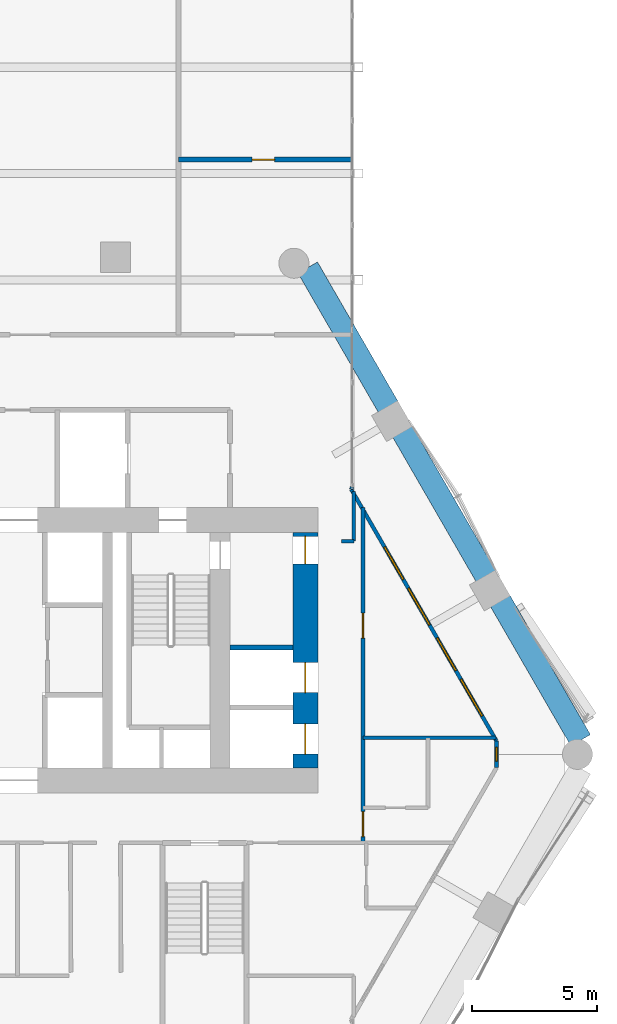
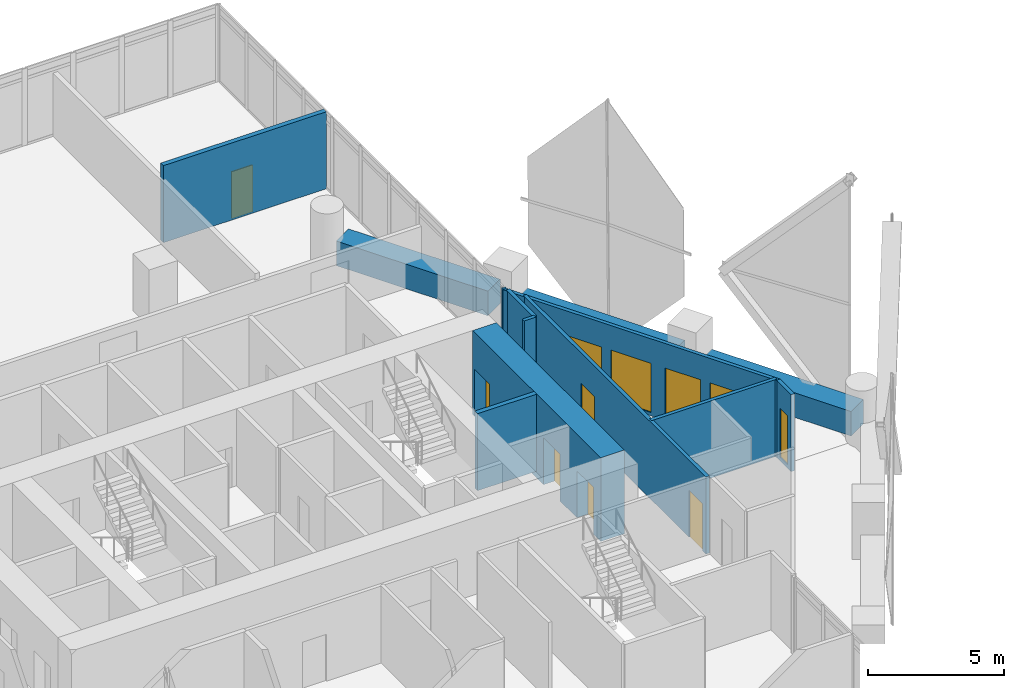
# One storey, part 32 of 38: 13 walls, 6 doors, 5 windows, 11 openings.
"""IFC4 building model written with IfcOpenShell, lengths in metres."""

import ifcopenshell
import ifcopenshell.guid

model = None  # the IFC model being written
_history = None  # IfcOwnerHistory: only IFC2X3 demands one
_inside = {}  # id of a spatial element -> (the spatial element, [elements in it])
_under = {}  # id of a project, library or spatial element -> (it, [spatial elements below it])
_declared = {}  # id of a project -> (the project, [libraries it declares])
_typed = {}  # id of a type object -> (the type object, [elements of that type])
_made_of = {}  # id of a material, layer set ... -> (it, [elements and type objects made of it])


def new_model(schema):
    """Start an empty IFC model of exactly this schema.

    Asked for "IFC4X3", IfcOpenShell would pick the latest addendum, in which some entities
    have other attributes; the version numbers below select the first issue.
    IFC2X3 requires an IfcOwnerHistory on every rooted entity: one is made here for all.
    """
    global model, _history
    if schema == "IFC4X3":
        model = ifcopenshell.file(schema_version=(4, 3, 0, 0))
    else:
        model = ifcopenshell.file(schema=schema)
    _inside.clear()
    _under.clear()
    _declared.clear()
    _typed.clear()
    _made_of.clear()
    _history = None
    if model.schema == "IFC2X3":
        org = make("IfcOrganization", Name="unknown")
        user = make(
            "IfcPersonAndOrganization",
            ThePerson=make("IfcPerson", FamilyName="unknown"),
            TheOrganization=org,
        )
        app = make(
            "IfcApplication",
            ApplicationDeveloper=org,
            Version="unknown",
            ApplicationFullName="unknown",
            ApplicationIdentifier="unknown",
        )
        _history = make(
            "IfcOwnerHistory",
            OwningUser=user,
            OwningApplication=app,
            ChangeAction="ADDED",
            CreationDate=0,
        )
    return model


def make(cls, **values):
    """One entity of the class cls with the attributes given. An attribute that is None is left unset."""
    return model.create_entity(
        cls, **{name: value for name, value in values.items() if value is not None}
    )


def rooted(cls, **values):
    """An entity with a GlobalId (a new one), such as an element, a storey or a relation."""
    return make(cls, GlobalId=ifcopenshell.guid.new(), OwnerHistory=_history, **values)


def si_unit(unit_type, name, prefix=None):
    """IfcSIUnit, for example si_unit("LENGTHUNIT", "METRE", prefix="MILLI")."""
    return make("IfcSIUnit", UnitType=unit_type, Prefix=prefix, Name=name)


def assignment(units):
    """IfcUnitAssignment: the units of a project."""
    return None if units is None else make("IfcUnitAssignment", Units=units)


def point(xyz):
    """IfcCartesianPoint."""
    return None if xyz is None else make("IfcCartesianPoint", Coordinates=xyz)


def direction(xyz):
    """IfcDirection."""
    return None if xyz is None else make("IfcDirection", DirectionRatios=xyz)


def frame(location, z_axis=None, x_axis=None):
    """IfcAxis2Placement3D, a coordinate frame: its origin and axes. An axis left out is left unset."""
    return make(
        "IfcAxis2Placement3D",
        Location=point(location),
        Axis=direction(z_axis),
        RefDirection=direction(x_axis),
    )


def frame_2d(location, x_axis=None):
    """IfcAxis2Placement2D, a coordinate frame in the plane: its origin and x axis."""
    return make(
        "IfcAxis2Placement2D", Location=point(location), RefDirection=direction(x_axis)
    )


def origin():
    """The frame at (0, 0, 0) with its axes left unset."""
    return frame((0.0, 0.0, 0.0))


def place(relative_to, where):
    """IfcLocalPlacement: puts the frame where relative to a parent placement (None: the world)."""
    return make(
        "IfcLocalPlacement", PlacementRelTo=relative_to, RelativePlacement=where
    )


def context(
    kind, dimensions, precision=None, world=None, true_north=None, identifier=None
):
    """IfcGeometricRepresentationContext, for example the 3D "Model" context."""
    return make(
        "IfcGeometricRepresentationContext",
        ContextIdentifier=identifier,
        ContextType=kind,
        CoordinateSpaceDimension=dimensions,
        Precision=precision,
        WorldCoordinateSystem=world,
        TrueNorth=true_north,
    )


def subcontext(parent, identifier, kind, view, scale=None):
    """IfcGeometricRepresentationSubContext, for example "Body" below "Model"."""
    return make(
        "IfcGeometricRepresentationSubContext",
        ContextIdentifier=identifier,
        ContextType=kind,
        ParentContext=parent,
        TargetScale=scale,
        TargetView=view,
    )


def project(units=None, contexts=None):
    """IfcProject with its units and contexts."""
    return rooted(
        "IfcProject",
        Name="project",
        RepresentationContexts=contexts,
        UnitsInContext=assignment(units),
    )


def spatial(cls, under=None, at=None, **own):
    """A site, building, storey or space (cls), placed at a placement, below another one or the project."""
    s = rooted(cls, ObjectPlacement=at, **own)
    if under is not None:
        _under.setdefault(under.id(), (under, []))[1].append(s)
    return s


def profile(cls, at=None, kind="AREA", **sizes):
    """A parametric profile (cls). Its sizes go by their IFC names, for example OverallWidth=200.0."""
    return make(cls, ProfileType=kind, Position=at, **sizes)


def rectangle(**sizes):
    """IfcRectangleProfileDef."""
    return profile("IfcRectangleProfileDef", **sizes)


def extrude(swept, where, along, depth):
    """IfcExtrudedAreaSolid: the profile swept, set in the frame where, extruded along a direction by depth."""
    return make(
        "IfcExtrudedAreaSolid",
        SweptArea=swept,
        Position=where,
        ExtrudedDirection=direction(along),
        Depth=depth,
    )


def shape(context_of_items, identifier, shape_type, items):
    """IfcShapeRepresentation: the items that make up one representation, for example the "Body"."""
    return make(
        "IfcShapeRepresentation",
        ContextOfItems=context_of_items,
        RepresentationIdentifier=identifier,
        RepresentationType=shape_type,
        Items=items,
    )


def material(Name=None, Category=None):
    """IfcMaterial."""
    return make("IfcMaterial", Name=Name, Category=Category)


def layer(
    of_material, thickness, ventilated=None, Name=None, Category=None, Priority=None
):
    """IfcMaterialLayer: one layer of a wall or slab, of a material (None: an air gap)."""
    return make(
        "IfcMaterialLayer",
        Material=of_material,
        LayerThickness=thickness,
        IsVentilated=ventilated,
        Name=Name,
        Category=Category,
        Priority=Priority,
    )


def layer_set(layers, Name=None):
    """IfcMaterialLayerSet."""
    return make("IfcMaterialLayerSet", MaterialLayers=layers, LayerSetName=Name)


def made_of(thing, what):
    """Note that an element or type object is made of a material, layer set ...; save() writes the relation."""
    if what is not None:
        _made_of.setdefault(what.id(), (what, []))[1].append(thing)
    return thing


def type_object(cls, material=None, **own):
    """A type object (cls), such as IfcWallType, which elements share."""
    return made_of(rooted(cls, **own), material)


def element(
    cls,
    number,
    at=None,
    inside=None,
    cuts=None,
    type_object=None,
    material=None,
    context=None,
    identifier="Body",
    shape_type=None,
    held_by="IfcProductDefinitionShape",
    body=None,
    shapes=None,
    **own,
):
    """One element of the class cls, such as IfcWall. Its Tag is "e" and its number.

    at: its placement. inside: the storey or other place that contains it. cuts: it is an
    opening in that element (IfcRelVoidsElement). A single representation is given by context,
    identifier, shape_type and body (its items); several are given by shapes. held_by: the class
    of the entity that holds the representations. save() writes the other relations.
    """
    e = rooted(cls, Tag="e%d" % number, ObjectPlacement=at, **own)
    if body is not None:
        shapes = [shape(context, identifier, shape_type, body)]
    if shapes is not None:
        e.Representation = make(held_by, Representations=shapes)
    if inside is not None:
        _inside.setdefault(inside.id(), (inside, []))[1].append(e)
    if cuts is not None:
        rooted(
            "IfcRelVoidsElement", RelatingBuildingElement=cuts, RelatedOpeningElement=e
        )
    if type_object is not None:
        _typed.setdefault(type_object.id(), (type_object, []))[1].append(e)
    return made_of(e, material)


def fill(opening, filler):
    """IfcRelFillsElement: the door or window that sits in an opening."""
    return rooted(
        "IfcRelFillsElement",
        RelatingOpeningElement=opening,
        RelatedBuildingElement=filler,
    )


def aggregate(whole, parts):
    """IfcRelAggregates: a whole, such as a stair, and the parts it consists of."""
    return rooted("IfcRelAggregates", RelatingObject=whole, RelatedObjects=parts)


def save(model, path):
    """Write the relations noted so far, then the file.

    IfcRelAggregates (storeys below a building ...), IfcRelContainedInSpatialStructure (elements
    in a storey), IfcRelDefinesByType, IfcRelAssociatesMaterial and IfcRelDeclares: one each for
    every whole, place, type object, material and project.
    """
    for whole, parts in _under.values():
        aggregate(whole, parts)
    for where, things in _inside.values():
        rooted(
            "IfcRelContainedInSpatialStructure",
            RelatedElements=things,
            RelatingStructure=where,
        )
    for kind, things in _typed.values():
        rooted("IfcRelDefinesByType", RelatedObjects=things, RelatingType=kind)
    for what, things in _made_of.values():
        rooted("IfcRelAssociatesMaterial", RelatedObjects=things, RelatingMaterial=what)
    for by, libraries in _declared.values():
        rooted("IfcRelDeclares", RelatingContext=by, RelatedDefinitions=libraries)
    model.write(path)


model = new_model("IFC4")

# Units and contexts
model_context = context("Model", 3, precision=1e-05, world=origin(), true_north=direction((0.0, 1.0)))
body_context = subcontext(model_context, "Body", "Model", "MODEL_VIEW")
ifc_project = project(units=[si_unit("LENGTHUNIT", "METRE"), si_unit("AREAUNIT", "SQUARE_METRE"), si_unit("VOLUMEUNIT", "CUBIC_METRE"), si_unit("PLANEANGLEUNIT", "RADIAN"), si_unit("MASSUNIT", "GRAM", prefix="KILO")], contexts=[model_context])

# Site, building, storey
site_placement = place(None, origin())
site = spatial("IfcSite", under=ifc_project, at=site_placement, CompositionType="ELEMENT")
building_placement = place(site_placement, origin())
building = spatial("IfcBuilding", under=site, at=building_placement, Name="Ostrander Bayou Hotel Tower", CompositionType="ELEMENT")
storey_placement = place(building_placement, frame((0.0, 0.0, 96.75)))
storey = spatial("IfcBuildingStorey", under=building, at=storey_placement, Name="L24", CompositionType="ELEMENT", Elevation=96.75)

# Wall, openings, doors
ifc_material_1 = material(Name="Concrete f'c 70 MPa", Category="concrete")
ifc_layer_1 = layer(ifc_material_1, 1.0)
ifc_layer_set_1 = layer_set([ifc_layer_1], Name="CW4 core wall 1000 mm f'c 70 MPa")
wall_type_1 = type_object("IfcWallType", Name="CW4 core wall 1000 mm f'c 70 MPa", PredefinedType="SHEAR", material=ifc_layer_set_1)
wall_1_placement = place(storey_placement, frame((11.5, -0.699951171875, -0.300048828125), z_axis=(0.0, 0.0, 1.0), x_axis=(0.0, 1.0, 0.0)))
wall_1 = element("IfcWall", 1, at=wall_1_placement, inside=storey, type_object=wall_type_1, Name="CW4 L24 RE", PredefinedType="SHEAR", context=body_context, shape_type="SweptSolid", body=[
    extrude(rectangle(XDim=9.39990234375, YDim=1.0, at=frame_2d((4.699951171875, 0.0))), origin(), (0.0, 0.0, 1.0), 3.75),
])
opening_1_placement = place(wall_1_placement, frame((8.14990234375, 0.0, 0.0)))
opening_1 = element("IfcOpeningElement", 2, at=opening_1_placement, cuts=wall_1, Name="Opening T23-018", PredefinedType="OPENING", context=body_context, shape_type="SweptSolid", body=[
    extrude(rectangle(XDim=1.10009765625, YDim=2.10009765625, at=frame_2d((0.550048828125, 1.050048828125))), frame((0.0, 0.5, 0.0), z_axis=(0.0, -1.0, 0.0), x_axis=(1.0, 0.0, 0.0)), (0.0, 0.0, 1.0), 1.0),
])
opening_2_placement = place(wall_1_placement, frame((0.550048828125, 0.0, 0.0)))
opening_2 = element("IfcOpeningElement", 3, at=opening_2_placement, cuts=wall_1, Name="Opening T23-019", PredefinedType="OPENING", context=body_context, shape_type="SweptSolid", body=[
    extrude(rectangle(XDim=1.199951171875, YDim=2.10009765625, at=frame_2d((0.60009765625, 1.050048828125))), frame((0.0, 0.5, 0.0), z_axis=(0.0, -1.0, 0.0), x_axis=(1.0, 0.0, 0.0)), (0.0, 0.0, 1.0), 1.0),
])
opening_3_placement = place(wall_1_placement, frame((3.0, 0.0, 0.0)))
opening_3 = element("IfcOpeningElement", 4, at=opening_3_placement, cuts=wall_1, Name="Opening T23-020", PredefinedType="OPENING", context=body_context, shape_type="SweptSolid", body=[
    extrude(rectangle(XDim=1.199951171875, YDim=2.10009765625, at=frame_2d((0.60009765625, 1.050048828125))), frame((0.0, 0.5, 0.0), z_axis=(0.0, -1.0, 0.0), x_axis=(1.0, 0.0, 0.0)), (0.0, 0.0, 1.0), 1.0),
])
ifc_material_2 = material(Name="Timber door leaf", Category="wood")
door_type_1 = type_object("IfcDoorType", Name="D5 stair door 1100 x 2100 mm, 90 minute", OperationType="SINGLE_SWING_LEFT", PredefinedType="DOOR", material=ifc_material_2)
door_1_placement = place(opening_1_placement, origin())
door_1 = element("IfcDoor", 5, at=door_1_placement, inside=storey, type_object=door_type_1, Name="dr:L24:018", OperationType="SINGLE_SWING_RIGHT", OverallHeight=2.10009765625, OverallWidth=1.10009765625, PredefinedType="DOOR", context=body_context, shape_type="SweptSolid", body=[
    extrude(rectangle(XDim=1.10009765625, YDim=2.10009765625, at=frame_2d((0.550048828125, 1.050048828125))), frame((0.0, 0.02490234375, 0.0), z_axis=(0.0, -1.0, 0.0), x_axis=(1.0, 0.0, 0.0)), (0.0, 0.0, 1.0), 0.050048828125),
])
fill(opening_1, door_1)
ifc_material_3 = material(Name="Stainless steel sliding door", Category="steel")
door_type_2 = type_object("IfcDoorType", Name="LD1 lift landing door 1200 x 2100 mm", OperationType="SINGLE_SWING_LEFT", PredefinedType="DOOR", material=ifc_material_3)
door_2_placement = place(opening_2_placement, origin())
door_2 = element("IfcDoor", 6, at=door_2_placement, inside=storey, type_object=door_type_2, Name="dr:L24:019", OperationType="SLIDING_TO_LEFT", OverallHeight=2.10009765625, OverallWidth=1.199951171875, PredefinedType="DOOR", context=body_context, shape_type="SweptSolid", body=[
    extrude(rectangle(XDim=1.199951171875, YDim=2.10009765625, at=frame_2d((0.60009765625, 1.050048828125))), frame((0.0, 0.02490234375, 0.0), z_axis=(0.0, -1.0, 0.0), x_axis=(1.0, 0.0, 0.0)), (0.0, 0.0, 1.0), 0.050048828125),
])
fill(opening_2, door_2)
door_3_placement = place(opening_3_placement, origin())
door_3 = element("IfcDoor", 7, at=door_3_placement, inside=storey, type_object=door_type_2, Name="dr:L24:020", OperationType="SLIDING_TO_LEFT", OverallHeight=2.10009765625, OverallWidth=1.199951171875, PredefinedType="DOOR", context=body_context, shape_type="SweptSolid", body=[
    extrude(rectangle(XDim=1.199951171875, YDim=2.10009765625, at=frame_2d((0.60009765625, 1.050048828125))), frame((0.0, 0.02490234375, 0.0), z_axis=(0.0, -1.0, 0.0), x_axis=(1.0, 0.0, 0.0)), (0.0, 0.0, 1.0), 0.050048828125),
])
fill(opening_3, door_3)

# Wall, openings, windows
ifc_material_4 = material(Name="Aluminium framed insulated wall", Category="aluminium")
ifc_layer_2 = layer(ifc_material_4, 0.14990234375)
ifc_layer_set_2 = layer_set([ifc_layer_2], Name="GW1 glass-line wall 150 mm")
wall_type_2 = type_object("IfcWallType", Name="GW1 glass-line wall 150 mm", PredefinedType="SOLIDWALL", material=ifc_layer_set_2)
wall_2_placement = place(storey_placement, frame((19.141357421875, 0.368896484375, 0.0), z_axis=(0.0, 0.0, 1.0), x_axis=(-0.500002662854, 0.86602386638, 0.0)))
wall_2 = element("IfcWall", 8, at=wall_2_placement, inside=storey, type_object=wall_type_2, Name="GW1 L24 NE 1", PredefinedType="SOLIDWALL", context=body_context, shape_type="SweptSolid", body=[
    extrude(rectangle(XDim=11.61474609375, YDim=0.14990234375, at=frame_2d((5.807373046875, 0.0))), origin(), (0.0, 0.0, 1.0), 3.449951171875),
])
opening_4_placement = place(wall_2_placement, frame((1.1513671875, 0.0, 0.14990234375)))
opening_4 = element("IfcOpeningElement", 9, at=opening_4_placement, cuts=wall_2, Name="Opening W8", PredefinedType="OPENING", context=body_context, shape_type="SweptSolid", body=[
    extrude(rectangle(XDim=1.699951171875, YDim=2.199951171875, at=frame_2d((0.85009765625, 1.10009765625))), frame((0.0, 0.074951171875, 0.0), z_axis=(0.0, -1.0, 0.0), x_axis=(1.0, 0.0, 0.0)), (0.0, 0.0, 1.0), 0.14990234375),
])
opening_5_placement = place(wall_2_placement, frame((3.251220703125, 0.0, 0.14990234375)))
opening_5 = element("IfcOpeningElement", 10, at=opening_5_placement, cuts=wall_2, Name="Opening W12", PredefinedType="OPENING", context=body_context, shape_type="SweptSolid", body=[
    extrude(rectangle(XDim=1.5, YDim=2.199951171875, at=frame_2d((0.75, 1.10009765625))), frame((0.0, 0.074951171875, 0.0), z_axis=(0.0, -1.0, 0.0), x_axis=(1.0, 0.0, 0.0)), (0.0, 0.0, 1.0), 0.14990234375),
])
opening_6_placement = place(wall_2_placement, frame((5.351318359375, 0.0, 0.14990234375)))
opening_6 = element("IfcOpeningElement", 11, at=opening_6_placement, cuts=wall_2, Name="Opening W8", PredefinedType="OPENING", context=body_context, shape_type="SweptSolid", body=[
    extrude(rectangle(XDim=1.699951171875, YDim=2.199951171875, at=frame_2d((0.85009765625, 1.10009765625))), frame((0.0, 0.074951171875, 0.0), z_axis=(0.0, -1.0, 0.0), x_axis=(1.0, 0.0, 0.0)), (0.0, 0.0, 1.0), 0.14990234375),
])
opening_7_placement = place(wall_2_placement, frame((7.451416015625, 0.0, 0.14990234375)))
opening_7 = element("IfcOpeningElement", 12, at=opening_7_placement, cuts=wall_2, Name="Opening W12", PredefinedType="OPENING", context=body_context, shape_type="SweptSolid", body=[
    extrude(rectangle(XDim=1.5, YDim=2.199951171875, at=frame_2d((0.75, 1.10009765625))), frame((0.0, 0.074951171875, 0.0), z_axis=(0.0, -1.0, 0.0), x_axis=(1.0, 0.0, 0.0)), (0.0, 0.0, 1.0), 0.14990234375),
])
ifc_material_5 = material(Name="Aluminium and clear glass", Category="aluminium")
window_type_1 = type_object("IfcWindowType", Name="W12 fixed window 1500 mm, bath bay, zone 2", PartitioningType="SINGLE_PANEL", PredefinedType="WINDOW", material=ifc_material_5)
window_1_placement = place(opening_5_placement, origin())
window_1 = element("IfcWindow", 13, at=window_1_placement, inside=storey, type_object=window_type_1, Name="W12 L24 NE 1", OverallHeight=2.199951171875, OverallWidth=1.5, PartitioningType="SINGLE_PANEL", PredefinedType="WINDOW", context=body_context, shape_type="SweptSolid", body=[
    extrude(rectangle(XDim=1.5, YDim=2.199951171875, at=frame_2d((0.75, 1.10009765625))), frame((0.0, 0.030029296875, 0.0), z_axis=(0.0, -1.0, 0.0), x_axis=(1.0, 0.0, 0.0)), (0.0, 0.0, 1.0), 0.06005859375),
])
fill(opening_5, window_1)
window_2_placement = place(opening_7_placement, origin())
window_2 = element("IfcWindow", 14, at=window_2_placement, inside=storey, type_object=window_type_1, Name="W12 L24 NE 2", OverallHeight=2.199951171875, OverallWidth=1.5, PartitioningType="SINGLE_PANEL", PredefinedType="WINDOW", context=body_context, shape_type="SweptSolid", body=[
    extrude(rectangle(XDim=1.5, YDim=2.199951171875, at=frame_2d((0.75, 1.10009765625))), frame((0.0, 0.030029296875, 0.0), z_axis=(0.0, -1.0, 0.0), x_axis=(1.0, 0.0, 0.0)), (0.0, 0.0, 1.0), 0.06005859375),
])
fill(opening_7, window_2)
ifc_material_6 = material(Name="Aluminium and clear glass", Category="aluminium")
window_type_2 = type_object("IfcWindowType", Name="W8 fixed window 1700 mm, bar storeys, zone 2", PartitioningType="SINGLE_PANEL", PredefinedType="WINDOW", material=ifc_material_6)
window_3_placement = place(opening_4_placement, origin())
window_3 = element("IfcWindow", 15, at=window_3_placement, inside=storey, type_object=window_type_2, Name="W8 L24 NE 1", OverallHeight=2.199951171875, OverallWidth=1.699951171875, PartitioningType="SINGLE_PANEL", PredefinedType="WINDOW", context=body_context, shape_type="SweptSolid", body=[
    extrude(rectangle(XDim=1.699951171875, YDim=2.199951171875, at=frame_2d((0.85009765625, 1.10009765625))), frame((0.0, 0.030029296875, 0.0), z_axis=(0.0, -1.0, 0.0), x_axis=(1.0, 0.0, 0.0)), (0.0, 0.0, 1.0), 0.06005859375),
])
fill(opening_4, window_3)
window_4_placement = place(opening_6_placement, origin())
window_4 = element("IfcWindow", 16, at=window_4_placement, inside=storey, type_object=window_type_2, Name="W8 L24 NE 2", OverallHeight=2.199951171875, OverallWidth=1.699951171875, PartitioningType="SINGLE_PANEL", PredefinedType="WINDOW", context=body_context, shape_type="SweptSolid", body=[
    extrude(rectangle(XDim=1.699951171875, YDim=2.199951171875, at=frame_2d((0.85009765625, 1.10009765625))), frame((0.0, 0.030029296875, 0.0), z_axis=(0.0, -1.0, 0.0), x_axis=(1.0, 0.0, 0.0)), (0.0, 0.0, 1.0), 0.06005859375),
])
fill(opening_6, window_4)

# Wall, opening, window
wall_3_placement = place(storey_placement, frame((19.141357421875, -0.6962890625, 0.0), z_axis=(0.0, 0.0, 1.0), x_axis=(0.0, 1.0, 0.0)))
wall_3 = element("IfcWall", 17, at=wall_3_placement, inside=storey, type_object=wall_type_2, Name="GW1 L24 corner 5", PredefinedType="SOLIDWALL", context=body_context, shape_type="SweptSolid", body=[
    extrude(rectangle(XDim=1.065185546875, YDim=0.14990234375, at=frame_2d((0.53271484375, 0.0))), origin(), (0.0, 0.0, 1.0), 3.449951171875),
])
opening_8_placement = place(wall_3_placement, frame((0.257568359375, 0.0, 0.14990234375)))
opening_8 = element("IfcOpeningElement", 18, at=opening_8_placement, cuts=wall_3, Name="Opening W19", PredefinedType="OPENING", context=body_context, shape_type="SweptSolid", body=[
    extrude(rectangle(XDim=0.550048828125, YDim=2.199951171875, at=frame_2d((0.27490234375, 1.10009765625))), frame((0.0, 0.074951171875, 0.0), z_axis=(0.0, -1.0, 0.0), x_axis=(1.0, 0.0, 0.0)), (0.0, 0.0, 1.0), 0.14990234375),
])
ifc_material_7 = material(Name="Aluminium and clear glass", Category="aluminium")
window_type_3 = type_object("IfcWindowType", Name="W19 corner window 550 mm", PartitioningType="SINGLE_PANEL", PredefinedType="WINDOW", material=ifc_material_7)
window_5_placement = place(opening_8_placement, origin())
window_5 = element("IfcWindow", 19, at=window_5_placement, inside=storey, type_object=window_type_3, Name="W19 L24 corner 5", OverallHeight=2.199951171875, OverallWidth=0.550048828125, PartitioningType="SINGLE_PANEL", PredefinedType="WINDOW", context=body_context, shape_type="SweptSolid", body=[
    extrude(rectangle(XDim=0.550048828125, YDim=2.199951171875, at=frame_2d((0.27490234375, 1.10009765625))), frame((0.0, 0.030029296875, 0.0), z_axis=(0.0, -1.0, 0.0), x_axis=(1.0, 0.0, 0.0)), (0.0, 0.0, 1.0), 0.06005859375),
])
fill(opening_8, window_5)

# Walls
wall_4_placement = place(storey_placement, frame((13.333984375, 10.427490234375, 0.0), z_axis=(0.0, 0.0, 1.0), x_axis=(0.337751931921, 0.941235163221, 0.0)))
element("IfcWall", 20, at=wall_4_placement, inside=storey, type_object=wall_type_2, Name="GW1 L24 bar joint 4", PredefinedType="SOLIDWALL", context=body_context, shape_type="SweptSolid", body=[
    extrude(rectangle(XDim=0.098388671875, YDim=0.14990234375, at=frame_2d((0.04931640625, 0.0))), origin(), (0.0, 0.0, 1.0), 3.449951171875),
])
ifc_material_8 = material(Name="Concrete f'c 40 MPa", Category="concrete")
ifc_layer_3 = layer(ifc_material_8, 0.89990234375)
ifc_layer_set_3 = layer_set([ifc_layer_3], Name="PA1 stone-faced parapet 900 mm")
wall_type_3 = type_object("IfcWallType", Name="PA1 stone-faced parapet 900 mm", PredefinedType="PARAPET", material=ifc_layer_set_3)
wall_5_placement = place(storey_placement, frame((22.5009765625, 0.39990234375, 0.0), z_axis=(0.0, 0.0, 1.0), x_axis=(-0.500011789842, 0.866018596809, 0.0)))
element("IfcWall", 21, at=wall_5_placement, inside=storey, type_object=wall_type_3, Name="PA1 L24 NE-1", PredefinedType="PARAPET", context=body_context, shape_type="SweptSolid", body=[
    extrude(rectangle(XDim=6.427490234375, YDim=0.89990234375, at=frame_2d((3.2138671875, 0.0))), origin(), (0.0, 0.0, 1.0), 1.10009765625),
])
wall_6_placement = place(storey_placement, frame((18.71728515625, 6.95361328125, 0.0), z_axis=(0.0, 0.0, 1.0), x_axis=(-0.499999023957, 0.866025967302, 0.0)))
element("IfcWall", 22, at=wall_6_placement, inside=storey, type_object=wall_type_3, Name="PA1 L24 NE-2", PredefinedType="PARAPET", context=body_context, shape_type="SweptSolid", body=[
    extrude(rectangle(XDim=6.67333984375, YDim=0.89990234375, at=frame_2d((3.336669921875, 0.0))), origin(), (0.0, 0.0, 1.0), 1.10009765625),
])
wall_7_placement = place(storey_placement, frame((14.810546875, 13.72021484375, 0.0), z_axis=(0.0, 0.0, 1.0), x_axis=(-0.50002823779, 0.866009100075, 0.0)))
element("IfcWall", 23, at=wall_7_placement, inside=storey, type_object=wall_type_3, Name="PA1 L24 NE-3", PredefinedType="PARAPET", context=body_context, shape_type="SweptSolid", body=[
    extrude(rectangle(XDim=6.427490234375, YDim=0.89990234375, at=frame_2d((3.2138671875, 0.0))), origin(), (0.0, 0.0, 1.0), 1.10009765625),
])

# Wall, opening, door
ifc_material_9 = material(Name="Gypsum board partition", Category="finish")
ifc_layer_4 = layer(ifc_material_9, 0.199951171875)
ifc_layer_set_4 = layer_set([ifc_layer_4], Name="PT3 demising wall 200 mm acoustic double stud, 1 hour")
wall_type_4 = type_object("IfcWallType", Name="PT3 demising wall 200 mm acoustic double stud, 1 hour", PredefinedType="PARTITIONING", material=ifc_layer_set_4)
wall_8_placement = place(storey_placement, frame((6.442138671875, 23.60009765625, 0.0), z_axis=(0.0, 0.0, 1.0), x_axis=(1.0, 0.0, 0.0)))
wall_8 = element("IfcWall", 24, at=wall_8_placement, inside=storey, type_object=wall_type_4, Name="sw:L24:504", PredefinedType="PARTITIONING", context=body_context, shape_type="SweptSolid", body=[
    extrude(rectangle(XDim=6.906005859375, YDim=0.199951171875, at=frame_2d((3.453125, 0.0))), origin(), (0.0, 0.0, 1.0), 3.449951171875),
])
opening_9_placement = place(wall_8_placement, frame((2.93505859375, 0.0, 0.0)))
opening_9 = element("IfcOpeningElement", 25, at=opening_9_placement, cuts=wall_8, Name="Opening T23-1206", PredefinedType="OPENING", context=body_context, shape_type="SweptSolid", body=[
    extrude(rectangle(XDim=0.89990234375, YDim=2.10009765625, at=frame_2d((0.449951171875, 1.050048828125))), frame((0.0, 0.10009765625, 0.0), z_axis=(0.0, -1.0, 0.0), x_axis=(1.0, 0.0, 0.0)), (0.0, 0.0, 1.0), 0.199951171875),
])
ifc_material_10 = material(Name="Timber door leaf", Category="wood")
door_type_3 = type_object("IfcDoorType", Name="D8 room door 900 x 2100 mm", OperationType="SINGLE_SWING_LEFT", PredefinedType="DOOR", material=ifc_material_10)
door_4_placement = place(opening_9_placement, origin())
door_4 = element("IfcDoor", 26, at=door_4_placement, inside=storey, type_object=door_type_3, Name="dr:L24:1206", OperationType="SINGLE_SWING_RIGHT", OverallHeight=2.10009765625, OverallWidth=0.89990234375, PredefinedType="DOOR", context=body_context, shape_type="SweptSolid", body=[
    extrude(rectangle(XDim=0.89990234375, YDim=2.10009765625, at=frame_2d((0.449951171875, 1.050048828125))), frame((0.0, 0.02490234375, 0.0), z_axis=(0.0, -1.0, 0.0), x_axis=(1.0, 0.0, 0.0)), (0.0, 0.0, 1.0), 0.050048828125),
])
fill(opening_9, door_4)

# Walls
ifc_material_11 = material(Name="Masonry block", Category="masonry")
ifc_layer_5 = layer(ifc_material_11, 0.199951171875)
ifc_layer_set_5 = layer_set([ifc_layer_5], Name="PT6 lift shaft wall 200 mm masonry, 2 hour")
wall_type_5 = type_object("IfcWallType", Name="PT6 lift shaft wall 200 mm masonry, 2 hour", PredefinedType="PARTITIONING", material=ifc_layer_set_5)
wall_9_placement = place(storey_placement, frame((8.5, 4.10009765625, 0.0), z_axis=(0.0, 0.0, 1.0), x_axis=(1.0, 0.0, 0.0)))
element("IfcWall", 27, at=wall_9_placement, inside=storey, type_object=wall_type_5, Name="cs:L24:034", PredefinedType="PARTITIONING", context=body_context, shape_type="SweptSolid", body=[
    extrude(rectangle(XDim=2.5, YDim=0.199951171875, at=frame_2d((1.25, 0.0))), origin(), (0.0, 0.0, 1.0), 3.449951171875),
])
ifc_material_12 = material(Name="Gypsum board partition", Category="finish")
ifc_layer_6 = layer(ifc_material_12, 0.14990234375)
ifc_layer_set_6 = layer_set([ifc_layer_6], Name="PT8 service band wall 150 mm, 1 hour")
wall_type_6 = type_object("IfcWallType", Name="PT8 service band wall 150 mm, 1 hour", PredefinedType="PARTITIONING", material=ifc_layer_set_6)
wall_10_placement = place(storey_placement, frame((13.800048828125, 0.5, 0.0), z_axis=(0.0, 0.0, 1.0), x_axis=(1.0, 0.0, 0.0)))
element("IfcWall", 28, at=wall_10_placement, inside=storey, type_object=wall_type_6, Name="gw:L24:012", PredefinedType="PARTITIONING", context=body_context, shape_type="SweptSolid", body=[
    extrude(rectangle(XDim=5.31787109375, YDim=0.14990234375, at=frame_2d((2.658935546875, 0.0))), origin(), (0.0, 0.0, 1.0), 3.449951171875),
])
wall_11_placement = place(storey_placement, frame((12.949951171875, 8.35498046875, 0.0), z_axis=(0.0, 0.0, 1.0), x_axis=(1.0, 0.0, 0.0)))
element("IfcWall", 29, at=wall_11_placement, inside=storey, type_object=wall_type_6, Name="gw:L24:015", PredefinedType="PARTITIONING", context=body_context, shape_type="SweptSolid", body=[
    extrude(rectangle(XDim=0.489990234375, YDim=0.14990234375, at=frame_2d((0.2451171875, 0.0))), origin(), (0.0, 0.0, 1.0), 3.449951171875),
])

# Wall, openings, doors
wall_12_placement = place(storey_placement, frame((13.800048828125, -3.699951171875, 0.0), z_axis=(0.0, 0.0, 1.0), x_axis=(0.0, 1.0, 0.0)))
wall_12 = element("IfcWall", 30, at=wall_12_placement, inside=storey, type_object=wall_type_6, Name="gw:L24:018", PredefinedType="PARTITIONING", context=body_context, shape_type="SweptSolid", body=[
    extrude(rectangle(XDim=13.409912109375, YDim=0.14990234375, at=frame_2d((6.705078125, 0.0))), origin(), (0.0, 0.0, 1.0), 3.449951171875),
])
opening_10_placement = place(wall_12_placement, frame((0.25, 0.0, 0.0)))
opening_10 = element("IfcOpeningElement", 31, at=opening_10_placement, cuts=wall_12, Name="Opening T23-409", PredefinedType="OPENING", context=body_context, shape_type="SweptSolid", body=[
    extrude(rectangle(XDim=1.0, YDim=2.10009765625, at=frame_2d((0.5, 1.050048828125))), frame((0.0, 0.074951171875, 0.0), z_axis=(0.0, -1.0, 0.0), x_axis=(1.0, 0.0, 0.0)), (0.0, 0.0, 1.0), 0.14990234375),
])
opening_11_placement = place(wall_12_placement, frame((8.18310546875, 0.0, 0.0)))
opening_11 = element("IfcOpeningElement", 32, at=opening_11_placement, cuts=wall_12, Name="Opening T23-411", PredefinedType="OPENING", context=body_context, shape_type="SweptSolid", body=[
    extrude(rectangle(XDim=1.0, YDim=2.10009765625, at=frame_2d((0.5, 1.050048828125))), frame((0.0, 0.074951171875, 0.0), z_axis=(0.0, -1.0, 0.0), x_axis=(1.0, 0.0, 0.0)), (0.0, 0.0, 1.0), 0.14990234375),
])
ifc_material_13 = material(Name="Timber door leaf", Category="wood")
door_type_4 = type_object("IfcDoorType", Name="D1 guest room door 1000 x 2100 mm, 30 minute", OperationType="SINGLE_SWING_LEFT", PredefinedType="DOOR", material=ifc_material_13)
door_5_placement = place(opening_10_placement, origin())
door_5 = element("IfcDoor", 33, at=door_5_placement, inside=storey, type_object=door_type_4, Name="dr:L24:409", OperationType="SINGLE_SWING_LEFT", OverallHeight=2.10009765625, OverallWidth=1.0, PredefinedType="DOOR", context=body_context, shape_type="SweptSolid", body=[
    extrude(rectangle(XDim=1.0, YDim=2.10009765625, at=frame_2d((0.5, 1.050048828125))), frame((0.0, 0.02490234375, 0.0), z_axis=(0.0, -1.0, 0.0), x_axis=(1.0, 0.0, 0.0)), (0.0, 0.0, 1.0), 0.050048828125),
])
fill(opening_10, door_5)
ifc_material_14 = material(Name="Timber door leaf", Category="wood")
door_type_5 = type_object("IfcDoorType", Name="D9 service door 1000 x 2100 mm, 30 minute", OperationType="SINGLE_SWING_LEFT", PredefinedType="DOOR", material=ifc_material_14)
door_6_placement = place(opening_11_placement, origin())
door_6 = element("IfcDoor", 34, at=door_6_placement, inside=storey, type_object=door_type_5, Name="dr:L24:411", OperationType="SINGLE_SWING_LEFT", OverallHeight=2.10009765625, OverallWidth=1.0, PredefinedType="DOOR", context=body_context, shape_type="SweptSolid", body=[
    extrude(rectangle(XDim=1.0, YDim=2.10009765625, at=frame_2d((0.5, 1.050048828125))), frame((0.0, 0.02490234375, 0.0), z_axis=(0.0, -1.0, 0.0), x_axis=(1.0, 0.0, 0.0)), (0.0, 0.0, 1.0), 0.050048828125),
])
fill(opening_11, door_6)

# Wall
wall_13_placement = place(storey_placement, frame((13.43994140625, 8.35498046875, 0.0), z_axis=(0.0, 0.0, 1.0), x_axis=(0.0, 1.0, 0.0)))
element("IfcWall", 35, at=wall_13_placement, inside=storey, type_object=wall_type_6, Name="gw:L24:020", PredefinedType="PARTITIONING", context=body_context, shape_type="SweptSolid", body=[
    extrude(rectangle(XDim=1.97900390625, YDim=0.14990234375, at=frame_2d((0.989501953125, 0.0))), origin(), (0.0, 0.0, 1.0), 3.449951171875),
])

save(model, "model.ifc")
